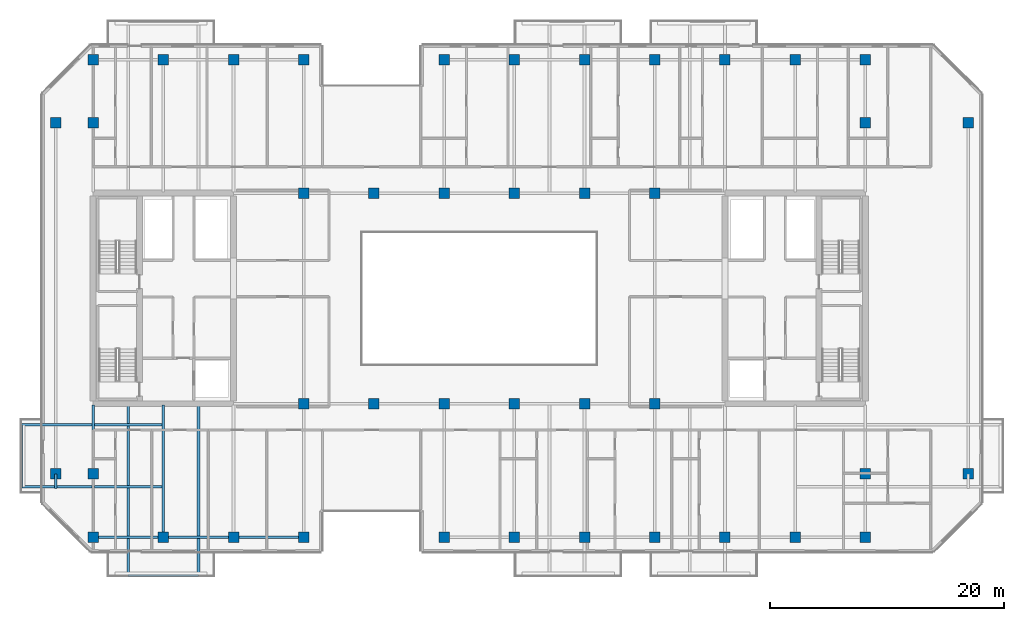
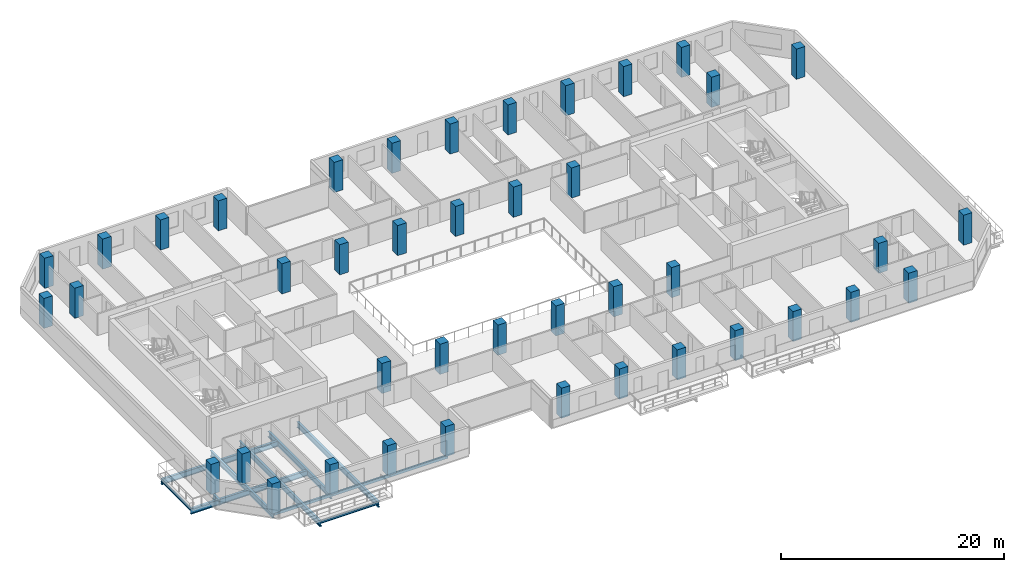
# One storey, part 1 of 19: 42 columns, 12 beams.
"""IFC4 building model written with IfcOpenShell, lengths in metres."""

from ifc_helpers import new_model, si_unit, direction, frame, origin, origin_2d, place, context, subcontext, project, spatial, rectangle, hollow_rectangle, i_section, extrude, material, material_profile, profile_set, type_object, element, save


model = new_model("IFC4")

# Units and contexts
model_context = context("Model", 3, precision=1e-05, world=origin(), true_north=direction((0.0, 1.0)))
body_context = subcontext(model_context, "Body", "Model", "MODEL_VIEW")
ifc_project = project(units=[si_unit("LENGTHUNIT", "METRE"), si_unit("AREAUNIT", "SQUARE_METRE"), si_unit("VOLUMEUNIT", "CUBIC_METRE"), si_unit("PLANEANGLEUNIT", "RADIAN"), si_unit("MASSUNIT", "GRAM", prefix="KILO")], contexts=[model_context])

# Site, building, storey
site_placement = place(None, origin())
site = spatial("IfcSite", under=ifc_project, at=site_placement, CompositionType="ELEMENT")
building_placement = place(site_placement, origin())
building = spatial("IfcBuilding", under=site, at=building_placement, Name="Tanjung Sevakor Pilgrim Tower", CompositionType="ELEMENT")
storey_placement = place(building_placement, frame((0.0, 0.0, 132.0)))
storey = spatial("IfcBuildingStorey", under=building, at=storey_placement, Name="L36", CompositionType="ELEMENT", Elevation=132.0)

# Columns
ifc_material_1 = material(Name="Concrete C60/75", Category="concrete")
ifc_material_profile_1 = material_profile(ifc_material_1, rectangle(XDim=0.89990234375, YDim=0.89990234375, at=origin_2d()))
ifc_profile_set_1 = profile_set([ifc_material_profile_1], Name="Concrete C60/75")
column_type = type_object("IfcColumnType", Name="COL-C-T900-RC_900x900", PredefinedType="COLUMN", material=ifc_profile_set_1)
for number, where, z_axis, x_axis, name in (
    (1, (42.0, 24.60009765625, 0.0), (0.0, 0.0, 1.0), (1.0, 0.0, 0.0), "L36 Column SPW-042-246"),
    (2, (42.0, 42.60009765625, 0.0), (0.0, 0.0, 1.0), (1.0, 0.0, 0.0), "L36 Column SPW-042-426"),
    (3, (48.0, 24.60009765625, 0.0), (0.0, 0.0, 1.0), (1.0, 0.0, 0.0), "L36 Column SPW-048-246"),
    (4, (48.0, 42.60009765625, 0.0), (0.0, 0.0, 1.0), (1.0, 0.0, 0.0), "L36 Column SPW-048-426"),
    (5, (54.0, 24.60009765625, 0.0), (0.0, 0.0, 1.0), (1.0, 0.0, 0.0), "L36 Column SPE-054-246"),
    (6, (54.0, 42.60009765625, 0.0), (0.0, 0.0, 1.0), (1.0, 0.0, 0.0), "L36 Column SPE-054-426"),
    (7, (60.0, 24.60009765625, 0.0), (0.0, 0.0, 1.0), (1.0, 0.0, 0.0), "L36 Column SPE-060-246"),
    (8, (60.0, 42.60009765625, 0.0), (0.0, 0.0, 1.0), (1.0, 0.0, 0.0), "L36 Column SPE-060-426"),
    (9, (66.0, 24.60009765625, 0.0), (0.0, 0.0, 1.0), (1.0, 0.0, 0.0), "L36 Column SPE-066-246"),
    (10, (66.0, 42.60009765625, 0.0), (0.0, 0.0, 1.0), (1.0, 0.0, 0.0), "L36 Column SPE-066-426"),
    (11, (72.0, 24.60009765625, 0.0), (0.0, 0.0, 1.0), (1.0, 0.0, 0.0), "L36 Column SPE-072-246"),
    (12, (72.0, 42.60009765625, 0.0), (0.0, 0.0, 1.0), (1.0, 0.0, 0.0), "L36 Column SPE-072-426"),
    (13, (20.800048828125, 18.60009765625, 0.0), (0.0, 0.0, 1.0), (1.0, 0.0, 0.0), "L36 Column TCE-0208-186"),
    (14, (20.800048828125, 48.60009765625, 0.0), (0.0, 0.0, 1.0), (1.0, 0.0, 0.0), "L36 Column TCE-0208-486"),
    (15, (24.0, 18.60009765625, 0.0), (0.0, 0.0, 1.0), (1.0, 0.0, 0.0), "L36 Column TCE-0240-186"),
    (16, (24.0, 48.60009765625, 0.0), (0.0, 0.0, 1.0), (1.0, 0.0, 0.0), "L36 Column TCE-0240-486"),
    (17, (90.0, 18.60009765625, 0.0), (0.0, 0.0, 1.0), (1.0, 0.0, 0.0), "L36 Column TCE-0900-186"),
    (18, (90.0, 48.60009765625, 0.0), (0.0, 0.0, 1.0), (1.0, 0.0, 0.0), "L36 Column TCE-0900-486"),
    (19, (98.800048828125, 18.60009765625, 0.0), (0.0, 0.0, 1.0), (1.0, 0.0, 0.0), "L36 Column TCE-0988-186"),
    (20, (98.800048828125, 48.60009765625, 0.0), (0.0, 0.0, 1.0), (1.0, 0.0, 0.0), "L36 Column TCE-0988-486"),
    (21, (24.0, 13.199951171875, 0.0), (0.0, 0.0, 1.0), (1.0, 0.0, 0.0), "L36 Column TC3-024-132"),
    (22, (24.0, 54.0, 0.0), (0.0, 0.0, 1.0), (1.0, 0.0, 0.0), "L36 Column TC3-024-540"),
    (23, (30.0, 13.199951171875, 0.0), (0.0, 0.0, 1.0), (1.0, 0.0, 0.0), "L36 Column TC3-030-132"),
    (24, (30.0, 54.0, 0.0), (0.0, 0.0, 1.0), (1.0, 0.0, 0.0), "L36 Column TC3-030-540"),
    (25, (36.0, 13.199951171875, 0.0), (0.0, 0.0, 1.0), (1.0, 0.0, 0.0), "L36 Column TC3-036-132"),
    (26, (36.0, 54.0, 0.0), (0.0, 0.0, 1.0), (1.0, 0.0, 0.0), "L36 Column TC3-036-540"),
    (27, (42.0, 13.199951171875, 0.0), (0.0, 0.0, 1.0), (1.0, 0.0, 0.0), "L36 Column TC3-042-132"),
    (28, (42.0, 54.0, 0.0), (0.0, 0.0, 1.0), (1.0, 0.0, 0.0), "L36 Column TC3-042-540"),
    (29, (54.0, 13.199951171875, 0.0), (0.0, 0.0, 1.0), (1.0, 0.0, 0.0), "L36 Column TC3-054-132"),
    (30, (54.0, 54.0, 0.0), (0.0, 0.0, 1.0), (1.0, 0.0, 0.0), "L36 Column TC3-054-540"),
    (31, (60.0, 13.199951171875, 0.0), (0.0, 0.0, 1.0), (1.0, 0.0, 0.0), "L36 Column TC3-060-132"),
    (32, (60.0, 54.0, 0.0), (0.0, 0.0, 1.0), (1.0, 0.0, 0.0), "L36 Column TC3-060-540"),
    (33, (66.0, 13.199951171875, 0.0), (0.0, 0.0, 1.0), (1.0, 0.0, 0.0), "L36 Column TC3-066-132"),
    (34, (66.0, 54.0, 0.0), (0.0, 0.0, 1.0), (1.0, 0.0, 0.0), "L36 Column TC3-066-540"),
    (35, (72.0, 13.199951171875, 0.0), (0.0, 0.0, 1.0), (1.0, 0.0, 0.0), "L36 Column TC3-072-132"),
    (36, (72.0, 54.0, 0.0), (0.0, 0.0, 1.0), (1.0, 0.0, 0.0), "L36 Column TC3-072-540"),
    (37, (78.0, 13.199951171875, 0.0), (0.0, 0.0, 1.0), (1.0, 0.0, 0.0), "L36 Column TC3-078-132"),
    (38, (78.0, 54.0, 0.0), (0.0, 0.0, 1.0), (1.0, 0.0, 0.0), "L36 Column TC3-078-540"),
    (39, (84.0, 13.199951171875, 0.0), (0.0, 0.0, 1.0), (1.0, 0.0, 0.0), "L36 Column TC3-084-132"),
    (40, (84.0, 54.0, 0.0), (0.0, 0.0, 1.0), (1.0, 0.0, 0.0), "L36 Column TC3-084-540"),
    (41, (90.0, 13.199951171875, 0.0), (0.0, 0.0, 1.0), (1.0, 0.0, 0.0), "L36 Column TC3-090-132"),
    (42, (90.0, 54.0, 0.0), (0.0, 0.0, 1.0), (1.0, 0.0, 0.0), "L36 Column TC3-090-540"),
):
    element("IfcColumn", number, at=place(storey_placement, frame(where, z_axis=z_axis, x_axis=x_axis)), inside=storey, type_object=column_type, Name=name, PredefinedType="COLUMN", context=body_context, shape_type="SweptSolid", body=[
        extrude(rectangle(XDim=0.89990234375, YDim=0.89990234375, at=origin_2d()), origin(), (0.0, 0.0, 1.0), 3.300048828125),
    ])

# Beams
ifc_material_2 = material(Name="Steel S355J2", Category="steel")
ifc_material_profile_2 = material_profile(ifc_material_2, i_section(OverallWidth=0.22900390625, OverallDepth=0.6123046875, WebThickness=0.011962890625, FlangeThickness=0.01953125, FilletRadius=0.0126953125, at=origin_2d()))
ifc_profile_set_2 = profile_set([ifc_material_profile_2], Name="Steel S355J2")
beam_type_1 = type_object("IfcBeamType", Name="BM-B-G4-UB_610x229x125", PredefinedType="BEAM", material=ifc_profile_set_2)
beam_1_placement = place(storey_placement, frame((20.800048828125, 18.60009765625, -0.526123046875), z_axis=(0.0, -1.0, 0.0), x_axis=(1.0, 0.0, 0.0)))
element("IfcBeam", 43, at=beam_1_placement, inside=storey, type_object=beam_type_1, Name="L36 Short-End Edge Extension S-W", PredefinedType="BEAM", context=body_context, shape_type="SweptSolid", body=[
    extrude(i_section(OverallWidth=0.22900390625, OverallDepth=0.6123046875, WebThickness=0.011962890625, FlangeThickness=0.01953125, FilletRadius=0.0126953125, at=origin_2d()), origin(), (0.0, 0.0, 1.0), 1.25),
])
for number, where, z_axis, x_axis, name in (
    (44, (30.0, 17.5, -0.526123046875), (-1.0, 0.0, 0.0), (0.0, -1.0, 0.0), "L36 Balcony Overhanging Beam MAIN-W1-1"),
    (45, (30.0, 22.800048828125, -0.526123046875), (-1.0, 0.0, 0.0), (0.0, -1.0, 0.0), "L36 Balcony Overhanging Beam MAIN-W1-2"),
):
    element("IfcBeam", number, at=place(storey_placement, frame(where, z_axis=z_axis, x_axis=x_axis)), inside=storey, type_object=beam_type_1, Name=name, PredefinedType="BEAM", context=body_context, shape_type="SweptSolid", body=[
        extrude(i_section(OverallWidth=0.22900390625, OverallDepth=0.6123046875, WebThickness=0.011962890625, FlangeThickness=0.01953125, FilletRadius=0.0126953125, at=origin_2d()), origin(), (0.0, 0.0, 1.0), 12.1298828125),
    ])
beam_2_placement = place(storey_placement, frame((24.0, 13.199951171875, -0.526123046875), z_axis=(0.0, 1.0, 0.0), x_axis=(-1.0, 0.0, 0.0)))
element("IfcBeam", 46, at=beam_2_placement, inside=storey, type_object=beam_type_1, Name="L36 MAIN Girder 001", PredefinedType="BEAM", context=body_context, shape_type="SweptSolid", body=[
    extrude(i_section(OverallWidth=0.22900390625, OverallDepth=0.6123046875, WebThickness=0.011962890625, FlangeThickness=0.01953125, FilletRadius=0.0126953125, at=origin_2d()), origin(), (0.0, 0.0, 1.0), 11.284912109375),
])
beam_3_placement = place(storey_placement, frame((27.0, 24.48486328125, -0.526123046875), z_axis=(0.0, -1.0, 0.0), x_axis=(1.0, 0.0, 0.0)))
element("IfcBeam", 47, at=beam_3_placement, inside=storey, type_object=beam_type_1, Name="L36 Balcony Cantilever Beam MAIN-S1-1", PredefinedType="BEAM", context=body_context, shape_type="SweptSolid", body=[
    extrude(i_section(OverallWidth=0.22900390625, OverallDepth=0.6123046875, WebThickness=0.011962890625, FlangeThickness=0.01953125, FilletRadius=0.0126953125, at=origin_2d()), origin(), (0.0, 0.0, 1.0), 14.56494140625),
])
beam_4_placement = place(storey_placement, frame((30.0, 13.199951171875, -0.526123046875), z_axis=(0.0, 1.0, 0.0), x_axis=(-1.0, 0.0, 0.0)))
element("IfcBeam", 48, at=beam_4_placement, inside=storey, type_object=beam_type_1, Name="L36 MAIN Girder 003", PredefinedType="BEAM", context=body_context, shape_type="SweptSolid", body=[
    extrude(i_section(OverallWidth=0.22900390625, OverallDepth=0.6123046875, WebThickness=0.011962890625, FlangeThickness=0.01953125, FilletRadius=0.0126953125, at=origin_2d()), origin(), (0.0, 0.0, 1.0), 11.284912109375),
])
beam_5_placement = place(storey_placement, frame((33.0, 24.48486328125, -0.526123046875), z_axis=(0.0, -1.0, 0.0), x_axis=(1.0, 0.0, 0.0)))
element("IfcBeam", 49, at=beam_5_placement, inside=storey, type_object=beam_type_1, Name="L36 Balcony Cantilever Beam MAIN-S1-2", PredefinedType="BEAM", context=body_context, shape_type="SweptSolid", body=[
    extrude(i_section(OverallWidth=0.22900390625, OverallDepth=0.6123046875, WebThickness=0.011962890625, FlangeThickness=0.01953125, FilletRadius=0.0126953125, at=origin_2d()), origin(), (0.0, 0.0, 1.0), 14.56494140625),
])
ifc_material_3 = material(Name="Steel S355J2", Category="steel")
ifc_material_profile_3 = material_profile(ifc_material_3, i_section(OverallWidth=0.146484375, OverallDepth=0.256103515625, WebThickness=0.00634765625, FlangeThickness=0.010986328125, FilletRadius=0.007568359375, at=origin_2d()))
ifc_profile_set_3 = profile_set([ifc_material_profile_3], Name="Steel S355J2")
beam_type_2 = type_object("IfcBeamType", Name="BM-B-J6-UB_254x146x37", PredefinedType="JOIST", material=ifc_profile_set_3)
beam_6_placement = place(storey_placement, frame((27.0, 9.919921875, -0.327880859375), z_axis=(1.0, 0.0, 0.0), x_axis=(0.0, 1.0, 0.0)))
element("IfcBeam", 50, at=beam_6_placement, inside=storey, type_object=beam_type_2, Name="L36 Balcony Rim Tie MAIN-S1", PredefinedType="JOIST", context=body_context, shape_type="SweptSolid", body=[
    extrude(i_section(OverallWidth=0.146484375, OverallDepth=0.256103515625, WebThickness=0.00634765625, FlangeThickness=0.010986328125, FilletRadius=0.007568359375, at=origin_2d()), origin(), (0.0, 0.0, 1.0), 6.0),
])
beam_7_placement = place(storey_placement, frame((17.8701171875, 17.5, -0.327880859375), z_axis=(0.0, 1.0, 0.0), x_axis=(-1.0, 0.0, 0.0)))
element("IfcBeam", 51, at=beam_7_placement, inside=storey, type_object=beam_type_2, Name="L36 Balcony Rim Tie MAIN-W1", PredefinedType="JOIST", context=body_context, shape_type="SweptSolid", body=[
    extrude(i_section(OverallWidth=0.146484375, OverallDepth=0.256103515625, WebThickness=0.00634765625, FlangeThickness=0.010986328125, FilletRadius=0.007568359375, at=origin_2d()), origin(), (0.0, 0.0, 1.0), 5.300048828125),
])
ifc_material_4 = material(Name="Steel S355J2", Category="steel")
ifc_material_profile_4 = material_profile(ifc_material_4, hollow_rectangle(XDim=0.199951171875, YDim=0.300048828125, WallThickness=0.012451171875, at=origin_2d()))
ifc_profile_set_4 = profile_set([ifc_material_profile_4], Name="Steel S355J2")
beam_type_3 = type_object("IfcBeamType", Name="BM-B-SP3-RHS_300x200x12.5", PredefinedType="SPANDREL", material=ifc_profile_set_4)
for number, where, z_axis, x_axis, name in (
    (52, (24.0, 13.199951171875, -0.3701171875), (1.0, 0.0, 0.0), (0.0, 1.0, 0.0), "L36 Spandrel MAIN S-01"),
    (53, (30.0, 13.199951171875, -0.3701171875), (1.0, 0.0, 0.0), (0.0, 1.0, 0.0), "L36 Spandrel MAIN S-03"),
    (54, (36.0, 13.199951171875, -0.3701171875), (1.0, 0.0, 0.0), (0.0, 1.0, 0.0), "L36 Spandrel MAIN S-05"),
):
    element("IfcBeam", number, at=place(storey_placement, frame(where, z_axis=z_axis, x_axis=x_axis)), inside=storey, type_object=beam_type_3, Name=name, PredefinedType="SPANDREL", context=body_context, shape_type="SweptSolid", body=[
        extrude(hollow_rectangle(XDim=0.199951171875, YDim=0.300048828125, WallThickness=0.012451171875, at=origin_2d()), origin(), (0.0, 0.0, 1.0), 6.0),
    ])

save(model, "model.ifc")
